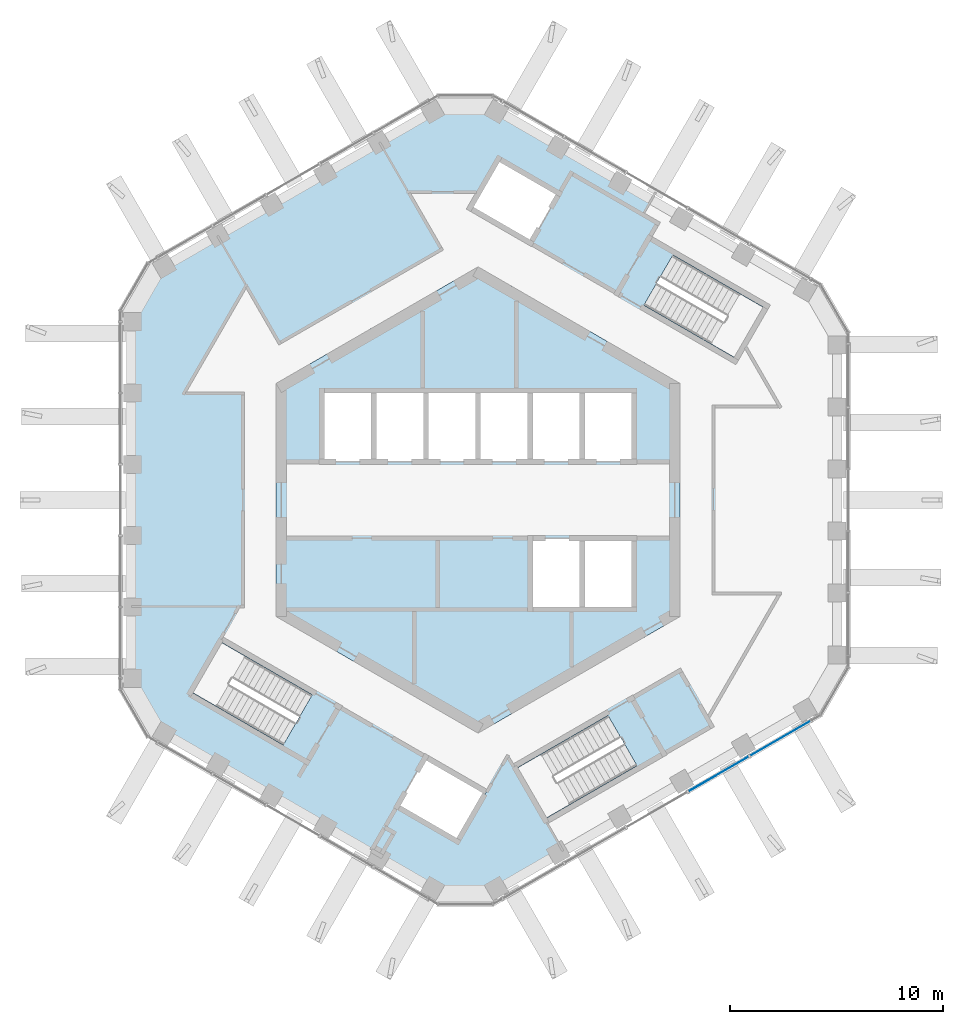
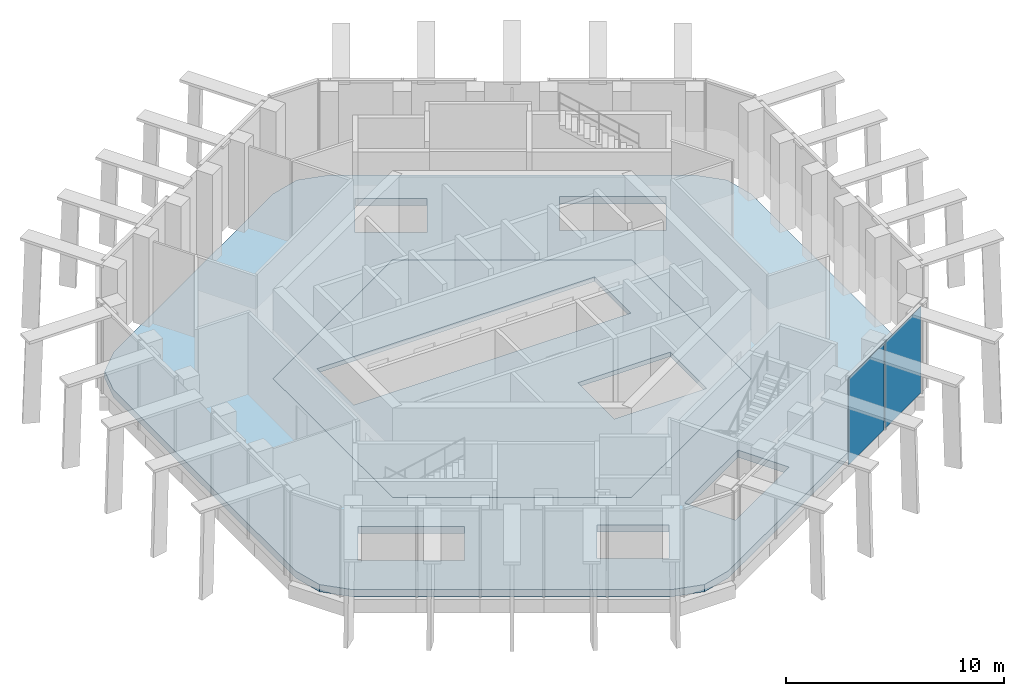
# One storey, part 8 of 17: 2 plates, 2 slabs, 1 element without a shape of its own.
"""IFC4 building model written with IfcOpenShell, lengths in metres."""

from ifc_helpers import new_model, si_unit, direction, frame, origin, origin_2d, place, context, subcontext, project, spatial, polyline, rectangle, outline, extrude, material, layer, layer_set, type_object, element, aggregate, save


model = new_model("IFC4")

# Units and contexts
model_context = context("Model", 3, precision=1e-05, world=origin(), true_north=direction((0.0, 1.0)))
body_context = subcontext(model_context, "Body", "Model", "MODEL_VIEW")
ifc_project = project(units=[si_unit("LENGTHUNIT", "METRE"), si_unit("AREAUNIT", "SQUARE_METRE"), si_unit("VOLUMEUNIT", "CUBIC_METRE"), si_unit("PLANEANGLEUNIT", "RADIAN"), si_unit("MASSUNIT", "GRAM", prefix="KILO")], contexts=[model_context])

# Site, building, storey
site_placement = place(None, origin())
site = spatial("IfcSite", under=ifc_project, at=site_placement, CompositionType="ELEMENT")
building_placement = place(site_placement, origin())
building = spatial("IfcBuilding", under=site, at=building_placement, Name="Ayvan Gate Tower", CompositionType="ELEMENT")
storey_placement = place(building_placement, frame((0.0, 0.0, 252.89990234375)))
storey = spatial("IfcBuildingStorey", under=building, at=storey_placement, Name="L68", CompositionType="ELEMENT", Elevation=252.89990234375)

# Slabs
ifc_material_1 = material(Name="Concrete C40/50", Category="concrete")
ifc_layer_1 = layer(ifc_material_1, 0.39990234375)
ifc_layer_set_1 = layer_set([ifc_layer_1], Name="Concrete C40/50")
slab_type_1 = type_object("IfcSlabType", Name="Post-tensioned flat slab 400", PredefinedType="FLOOR", material=ifc_layer_set_1)
slab_1_placement = place(storey_placement, frame((0.0, 0.0, -0.39990234375)))
element("IfcSlab", 1, at=slab_1_placement, inside=storey, type_object=slab_type_1, Name="SL-L68", PredefinedType="FLOOR", context=body_context, shape_type="SweptSolid", body=[
    extrude(outline(polyline([(0.906494140625, -18.291259765625), (-0.593505859375, -18.693359375), (-2.093505859375, -18.291259765625), (-14.7939453125, -10.958740234375), (-15.89208984375, -9.860595703125), (-16.2939453125, -8.360595703125), (-16.2939453125, 8.360595703125), (-15.89208984375, 9.860595703125), (-14.7939453125, 10.958740234375), (-2.093505859375, 18.291259765625), (-0.593505859375, 18.693359375), (0.906494140625, 18.291259765625), (15.387451171875, 9.9306640625), (16.485595703125, 8.832763671875), (16.887451171875, 7.332763671875), (16.887451171875, -7.332763671875), (16.485595703125, -8.832763671875), (15.387451171875, -9.9306640625), (0.906494140625, -18.291259765625)]), holes=[polyline([(12.049560546875, 6.720458984375), (13.404541015625, 9.0673828125), (9.1611328125, 11.517578125), (7.80615234375, 9.170654296875), (12.049560546875, 6.720458984375)]), polyline([(9.5, 5.48486328125), (0.0, 10.9697265625), (-9.5, 5.48486328125), (-9.5, -5.48486328125), (0.0, -10.9697265625), (9.5, -5.48486328125), (9.5, 5.48486328125)]), polyline([(1.873779296875, -12.595458984375), (3.228759765625, -14.9423828125), (7.472412109375, -12.492431640625), (6.117431640625, -10.1455078125), (1.873779296875, -12.595458984375)]), polyline([(0.908935546875, 12.985107421875), (2.472412109375, 12.08251953125), (3.822509765625, 14.420654296875), (0.964599609375, 16.07080078125), (0.053955078125, 14.4931640625), (-0.062255859375, 14.2919921875), (-0.3642578125, 13.769287109375), (-0.385498046875, 13.732421875), (0.908935546875, 12.985107421875)]), polyline([(0.385498046875, -13.732421875), (-0.6298828125, -13.146240234375), (-0.806640625, -13.044189453125), (-2.472412109375, -12.08251953125), (-3.822509765625, -14.420654296875), (-0.964599609375, -16.07080078125), (0.385498046875, -13.732421875)]), polyline([(-9.1611328125, -11.517578125), (-7.80615234375, -9.170654296875), (-12.049560546875, -6.720458984375), (-13.404541015625, -9.0673828125), (-9.1611328125, -11.517578125)])]), origin(), (0.0, 0.0, 1.0), 0.39990234375),
])
ifc_layer_2 = layer(ifc_material_1, 0.25)
ifc_layer_set_2 = layer_set([ifc_layer_2], Name="Concrete C40/50")
slab_type_2 = type_object("IfcSlabType", Name="SL-CORE-250", PredefinedType="FLOOR", material=ifc_layer_set_2)
slab_2_placement = place(storey_placement, frame((0.0, 0.0, -0.25)))
element("IfcSlab", 2, at=slab_2_placement, inside=storey, type_object=slab_type_2, Name="CS-L68", PredefinedType="FLOOR", context=body_context, shape_type="SweptSolid", body=[
    extrude(outline(polyline([(9.5, -5.48486328125), (0.0, -10.9697265625), (-9.5, -5.48486328125), (-9.5, 5.48486328125), (0.0, 10.9697265625), (9.5, 5.48486328125), (9.5, -5.48486328125)]), holes=[polyline([(-7.35009765625, 5.14990234375), (-7.35009765625, 1.800048828125), (7.35009765625, 1.800048828125), (7.35009765625, 5.14990234375), (-7.35009765625, 5.14990234375)]), polyline([(2.449951171875, -1.800048828125), (2.449951171875, -5.14990234375), (7.35009765625, -5.14990234375), (7.35009765625, -1.800048828125), (2.449951171875, -1.800048828125)])]), origin(), (0.0, 0.0, 1.0), 0.25),
])

# Curtain wall, plates
ifc_material_2 = material(Name="Bronze anodised aluminium", Category="aluminium")
ifc_layer_3 = layer(ifc_material_2, 0.199951171875)
ifc_layer_set_3 = layer_set([ifc_layer_3], Name="Bronze anodised aluminium")
curtain_wall_type = type_object("IfcCurtainWallType", Name="Stick curtain wall CW-5", PredefinedType="NOTDEFINED", material=ifc_layer_set_3)
curtain_wall_placement = place(storey_placement, origin())
curtain_wall = element("IfcCurtainWall", 3, at=curtain_wall_placement, inside=storey, type_object=curtain_wall_type, Name="Stick curtain wall CW-5 L68", PredefinedType="NOTDEFINED")
ifc_material_3 = material(Name="Clear low-iron laminated glass", Category="glass")
ifc_layer_4 = layer(ifc_material_3, 0.028076171875)
ifc_layer_set_4 = layer_set([ifc_layer_4], Name="Clear low-iron laminated glass")
plate_type = type_object("IfcPlateType", Name="Stick curtain wall CW-5 glass panel", PredefinedType="CURTAIN_PANEL", material=ifc_layer_set_4)
plate_1_placement = place(storey_placement, frame((11.314453125, -12.888671875, 0.0), z_axis=(0.0, 0.0, 1.0), x_axis=(0.866025403784, 0.5, 0.0)))
plate_1 = element("IfcPlate", 4, at=plate_1_placement, type_object=plate_type, Name="CW-5 glass panel 4", PredefinedType="CURTAIN_PANEL", context=body_context, shape_type="SweptSolid", body=[
    extrude(rectangle(XDim=3.263916015625, YDim=0.028076171875, at=origin_2d()), origin(), (0.0, 0.0, 1.0), 4.85009765625),
])
plate_2_placement = place(storey_placement, frame((14.23828125, -11.200439453125, 0.0), z_axis=(0.0, 0.0, 1.0), x_axis=(0.866025403784, 0.5, 0.0)))
plate_2 = element("IfcPlate", 5, at=plate_2_placement, type_object=plate_type, Name="CW-5 glass panel 5", PredefinedType="CURTAIN_PANEL", context=body_context, shape_type="SweptSolid", body=[
    extrude(rectangle(XDim=3.308349609375, YDim=0.028076171875, at=origin_2d()), origin(), (0.0, 0.0, 1.0), 4.85009765625),
])
aggregate(curtain_wall, [plate_1, plate_2])

save(model, "model.ifc")
